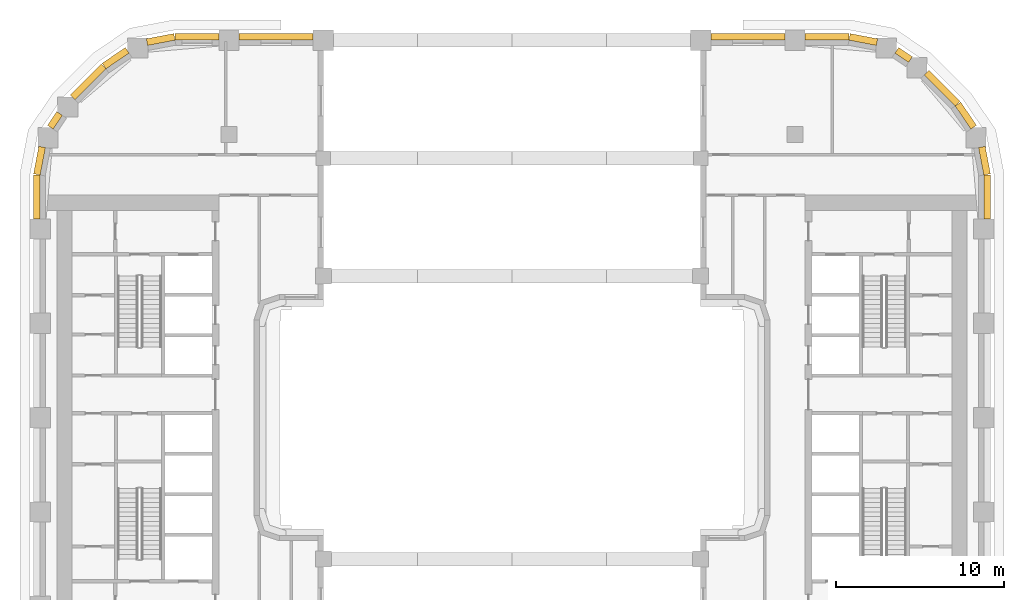
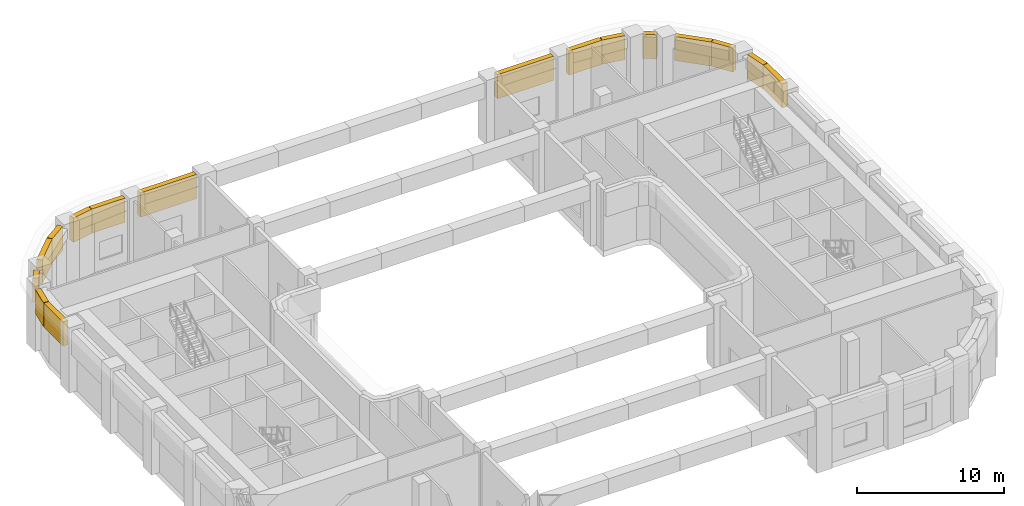
# One storey, part 14 of 14: 16 coverings.
"""IFC4 building model written with IfcOpenShell, lengths in metres."""

from ifc_helpers import new_model, si_unit, direction, frame, origin, origin_2d, place, context, subcontext, project, spatial, rectangle, extrude, material, type_object, element, save


model = new_model("IFC4")

# Units and contexts
model_context = context("Model", 3, precision=1e-05, world=origin(), true_north=direction((0.0, 1.0)))
body_context = subcontext(model_context, "Body", "Model", "MODEL_VIEW")
ifc_project = project(units=[si_unit("LENGTHUNIT", "METRE"), si_unit("AREAUNIT", "SQUARE_METRE"), si_unit("VOLUMEUNIT", "CUBIC_METRE"), si_unit("PLANEANGLEUNIT", "RADIAN"), si_unit("MASSUNIT", "GRAM", prefix="KILO")], contexts=[model_context])

# Site, building, storey
site_placement = place(None, origin())
site = spatial("IfcSite", under=ifc_project, at=site_placement, CompositionType="ELEMENT")
building_placement = place(site_placement, origin())
building = spatial("IfcBuilding", under=site, at=building_placement, Name="Kiln Ring Residences", CompositionType="ELEMENT")
storey_placement = place(building_placement, frame((0.0, 0.0, 130.699951171875)))
storey = spatial("IfcBuildingStorey", under=building, at=storey_placement, Name="L33", CompositionType="ELEMENT", Elevation=130.699951171875)

# Coverings
ifc_material = material(Name="Concrete C35/45, exposed aggregate finish", Category="concrete")
covering_type = type_object("IfcCoveringType", Name="TIE BAND 2000 x 400", PredefinedType="CLADDING", material=ifc_material)
covering_1_placement = place(storey_placement, frame((-14.0, 22.60009765625, 3.10009765625), z_axis=(0.0, 0.0, 1.0), x_axis=(-1.0, 0.0, 0.0)))
element("IfcCovering", 1, at=covering_1_placement, inside=storey, type_object=covering_type, Name="TIE BAND L33", PredefinedType="CLADDING", context=body_context, shape_type="SweptSolid", body=[
    extrude(rectangle(XDim=4.39990234375, YDim=0.39990234375, at=origin_2d()), origin(), (0.0, 0.0, 1.0), 2.0),
])
covering_2_placement = place(storey_placement, frame((-18.699951171875, 22.60009765625, 3.10009765625), z_axis=(0.0, 0.0, 1.0), x_axis=(-1.0, 0.0, 0.0)))
element("IfcCovering", 2, at=covering_2_placement, inside=storey, type_object=covering_type, Name="TIE BAND L33", PredefinedType="CLADDING", context=body_context, shape_type="SweptSolid", body=[
    extrude(rectangle(XDim=2.60009765625, YDim=0.39990234375, at=origin_2d()), origin(), (0.0, 0.0, 1.0), 2.0),
])
covering_3_placement = place(storey_placement, frame((-20.850830078125, 22.44140625, 3.10009765625), z_axis=(0.0, 0.0, 1.0), x_axis=(-0.98229025778, -0.187365550382, 0.0)))
element("IfcCovering", 3, at=covering_3_placement, inside=storey, type_object=covering_type, Name="TIE BAND L33", PredefinedType="CLADDING", context=body_context, shape_type="SweptSolid", body=[
    extrude(rectangle(XDim=1.65625, YDim=0.39990234375, at=origin_2d()), origin(), (0.0, 0.0, 1.0), 2.0),
])
covering_4_placement = place(storey_placement, frame((-23.524658203125, 21.333740234375, 3.10009765625), z_axis=(0.0, 0.0, 1.0), x_axis=(-0.827071553606, -0.562096651134, 0.0)))
element("IfcCovering", 4, at=covering_4_placement, inside=storey, type_object=covering_type, Name="TIE BAND L33", PredefinedType="CLADDING", context=body_context, shape_type="SweptSolid", body=[
    extrude(rectangle(XDim=1.656005859375, YDim=0.39990234375, at=origin_2d()), origin(), (0.0, 0.0, 1.0), 2.0),
])
covering_5_placement = place(storey_placement, frame((-25.15771484375, 19.925048828125, 3.10009765625), z_axis=(0.0, 0.0, 1.0), x_axis=(-0.707106781187, -0.707106781187, 0.0)))
element("IfcCovering", 5, at=covering_5_placement, inside=storey, type_object=covering_type, Name="TIE BAND L33", PredefinedType="CLADDING", context=body_context, shape_type="SweptSolid", body=[
    extrude(rectangle(XDim=2.60009765625, YDim=0.39990234375, at=origin_2d()), origin(), (0.0, 0.0, 1.0), 2.0),
])
covering_6_placement = place(storey_placement, frame((-27.12451171875, 17.643798828125, 3.10009765625), z_axis=(0.0, 0.0, 1.0), x_axis=(-0.562096651134, -0.827071553606, 0.0)))
element("IfcCovering", 6, at=covering_6_placement, inside=storey, type_object=covering_type, Name="TIE BAND L33", PredefinedType="CLADDING", context=body_context, shape_type="SweptSolid", body=[
    extrude(rectangle(XDim=0.97705078125, YDim=0.39990234375, at=origin_2d()), origin(), (0.0, 0.0, 1.0), 2.0),
])
covering_7_placement = place(storey_placement, frame((-28.041259765625, 15.2509765625, 3.10009765625), z_axis=(0.0, 0.0, 1.0), x_axis=(-0.187365550382, -0.98229025778, 0.0)))
element("IfcCovering", 7, at=covering_7_placement, inside=storey, type_object=covering_type, Name="TIE BAND L33", PredefinedType="CLADDING", context=body_context, shape_type="SweptSolid", body=[
    extrude(rectangle(XDim=1.65625, YDim=0.39990234375, at=origin_2d()), origin(), (0.0, 0.0, 1.0), 2.0),
])
for number, where, z_axis, x_axis, name in (
    (8, (-28.199951171875, 13.10009765625, 3.10009765625), (0.0, 0.0, 1.0), (0.0, -1.0, 0.0), "TIE BAND L33"),
    (9, (28.199951171875, 13.10009765625, 3.10009765625), (0.0, 0.0, 1.0), (0.0, 1.0, 0.0), "TIE BAND L33"),
):
    element("IfcCovering", number, at=place(storey_placement, frame(where, z_axis=z_axis, x_axis=x_axis)), inside=storey, type_object=covering_type, Name=name, PredefinedType="CLADDING", context=body_context, shape_type="SweptSolid", body=[
        extrude(rectangle(XDim=2.60009765625, YDim=0.39990234375, at=origin_2d()), origin(), (0.0, 0.0, 1.0), 2.0),
    ])
covering_8_placement = place(storey_placement, frame((28.041259765625, 15.2509765625, 3.10009765625), z_axis=(0.0, 0.0, 1.0), x_axis=(-0.187365550382, 0.98229025778, 0.0)))
element("IfcCovering", 10, at=covering_8_placement, inside=storey, type_object=covering_type, Name="TIE BAND L33", PredefinedType="CLADDING", context=body_context, shape_type="SweptSolid", body=[
    extrude(rectangle(XDim=1.65625, YDim=0.39990234375, at=origin_2d()), origin(), (0.0, 0.0, 1.0), 2.0),
])
covering_9_placement = place(storey_placement, frame((26.933837890625, 17.924560546875, 3.10009765625), z_axis=(0.0, 0.0, 1.0), x_axis=(-0.562096651134, 0.827071553606, 0.0)))
element("IfcCovering", 11, at=covering_9_placement, inside=storey, type_object=covering_type, Name="TIE BAND L33", PredefinedType="CLADDING", context=body_context, shape_type="SweptSolid", body=[
    extrude(rectangle(XDim=1.656005859375, YDim=0.39990234375, at=origin_2d()), origin(), (0.0, 0.0, 1.0), 2.0),
])
covering_10_placement = place(storey_placement, frame((25.525146484375, 19.5576171875, 3.10009765625), z_axis=(0.0, 0.0, 1.0), x_axis=(-0.707106781187, 0.707106781187, 0.0)))
element("IfcCovering", 12, at=covering_10_placement, inside=storey, type_object=covering_type, Name="TIE BAND L33", PredefinedType="CLADDING", context=body_context, shape_type="SweptSolid", body=[
    extrude(rectangle(XDim=2.60009765625, YDim=0.39990234375, at=origin_2d()), origin(), (0.0, 0.0, 1.0), 2.0),
])
covering_11_placement = place(storey_placement, frame((23.243896484375, 21.524658203125, 3.10009765625), z_axis=(0.0, 0.0, 1.0), x_axis=(-0.827071553606, 0.562096651134, 0.0)))
element("IfcCovering", 13, at=covering_11_placement, inside=storey, type_object=covering_type, Name="TIE BAND L33", PredefinedType="CLADDING", context=body_context, shape_type="SweptSolid", body=[
    extrude(rectangle(XDim=0.97705078125, YDim=0.39990234375, at=origin_2d()), origin(), (0.0, 0.0, 1.0), 2.0),
])
covering_12_placement = place(storey_placement, frame((20.850830078125, 22.44140625, 3.10009765625), z_axis=(0.0, 0.0, 1.0), x_axis=(-0.98229025778, 0.187365550382, 0.0)))
element("IfcCovering", 14, at=covering_12_placement, inside=storey, type_object=covering_type, Name="TIE BAND L33", PredefinedType="CLADDING", context=body_context, shape_type="SweptSolid", body=[
    extrude(rectangle(XDim=1.65625, YDim=0.39990234375, at=origin_2d()), origin(), (0.0, 0.0, 1.0), 2.0),
])
covering_13_placement = place(storey_placement, frame((18.699951171875, 22.60009765625, 3.10009765625), z_axis=(0.0, 0.0, 1.0), x_axis=(-1.0, 0.0, 0.0)))
element("IfcCovering", 15, at=covering_13_placement, inside=storey, type_object=covering_type, Name="TIE BAND L33", PredefinedType="CLADDING", context=body_context, shape_type="SweptSolid", body=[
    extrude(rectangle(XDim=2.60009765625, YDim=0.39990234375, at=origin_2d()), origin(), (0.0, 0.0, 1.0), 2.0),
])
covering_14_placement = place(storey_placement, frame((14.0, 22.60009765625, 3.10009765625), z_axis=(0.0, 0.0, 1.0), x_axis=(-1.0, 0.0, 0.0)))
element("IfcCovering", 16, at=covering_14_placement, inside=storey, type_object=covering_type, Name="TIE BAND L33", PredefinedType="CLADDING", context=body_context, shape_type="SweptSolid", body=[
    extrude(rectangle(XDim=4.39990234375, YDim=0.39990234375, at=origin_2d()), origin(), (0.0, 0.0, 1.0), 2.0),
])

save(model, "model.ifc")
